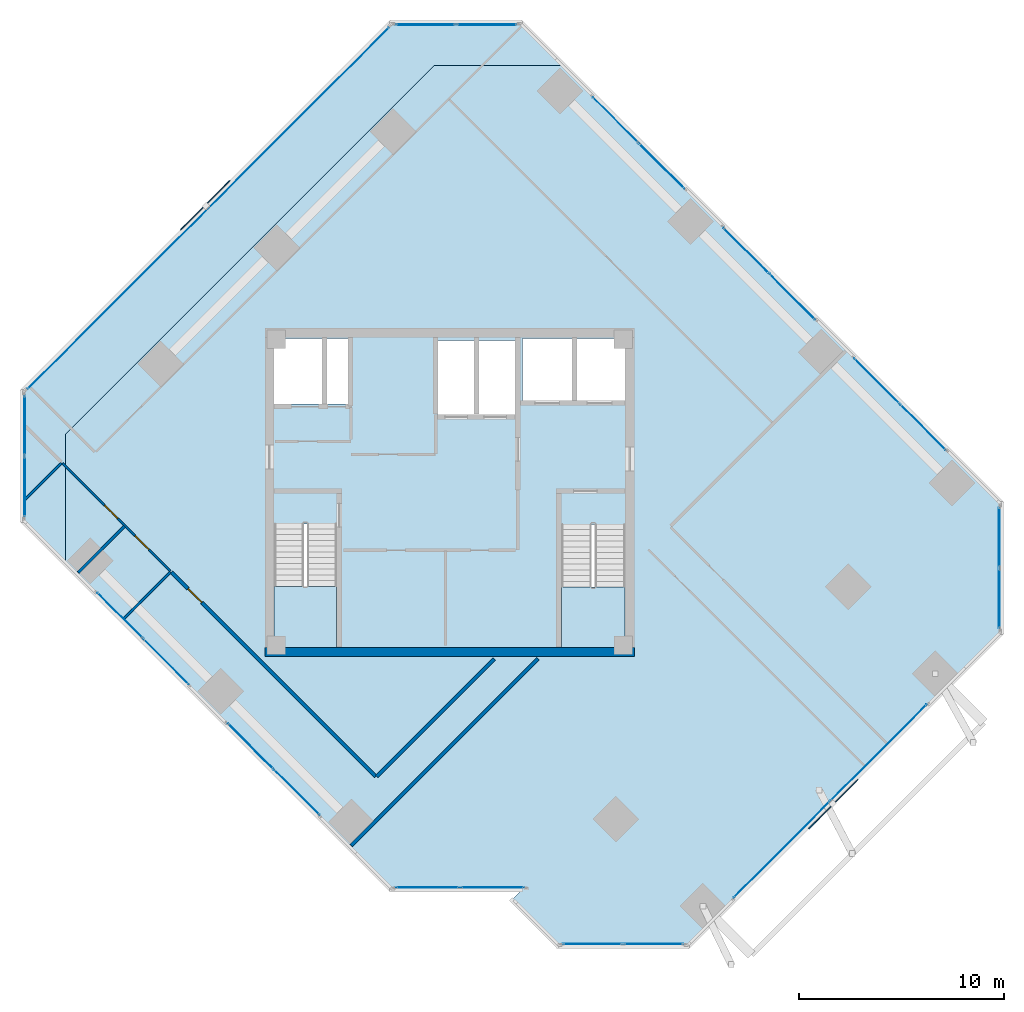
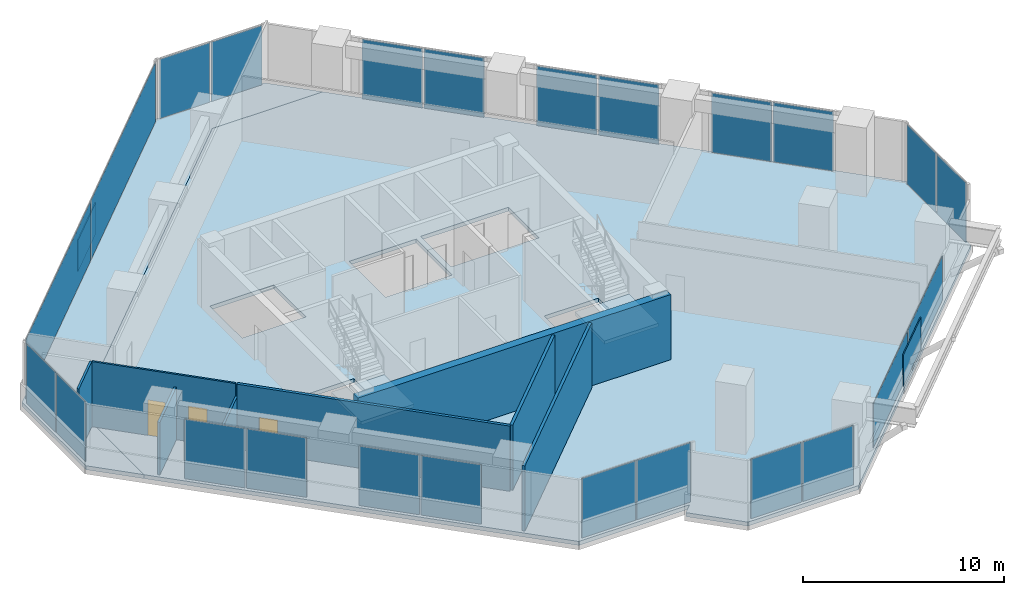
# One storey, part 12 of 17: 26 plates, 8 walls, 4 slabs, 3 doors, 3 openings, 14 elements without a shape of their own.
"""IFC4 building model written with IfcOpenShell, lengths in metres."""

from ifc_helpers import new_model, si_unit, direction, frame, frame_2d, origin, origin_2d, place, context, subcontext, project, spatial, polyline, rectangle, outline, extrude, source, transform, mapped, material, layer, layer_set, type_object, element, fill, aggregate, save


model = new_model("IFC4")

# Units and contexts
model_context = context("Model", 3, precision=1e-05, world=origin(), true_north=direction((0.0, 1.0)))
body_context = subcontext(model_context, "Body", "Model", "MODEL_VIEW")
ifc_project = project(units=[si_unit("LENGTHUNIT", "METRE"), si_unit("AREAUNIT", "SQUARE_METRE"), si_unit("VOLUMEUNIT", "CUBIC_METRE"), si_unit("PLANEANGLEUNIT", "RADIAN"), si_unit("MASSUNIT", "GRAM", prefix="KILO")], contexts=[model_context])

# Site, building, storey
site_placement = place(None, origin())
site = spatial("IfcSite", under=ifc_project, at=site_placement, CompositionType="ELEMENT")
building_placement = place(site_placement, origin())
building = spatial("IfcBuilding", under=site, at=building_placement, Name="Torre Montelarca", CompositionType="ELEMENT")
storey_placement = place(building_placement, frame((0.0, 0.0, 250.0)))
storey = spatial("IfcBuildingStorey", under=building, at=storey_placement, Name="L56", CompositionType="ELEMENT", Elevation=250.0)

# Slabs
ifc_material_1 = material(Name="Concrete C40/50", Category="concrete")
ifc_layer_1 = layer(ifc_material_1, 0.239990234375, Name="Concrete C40/50", Category="concrete")
ifc_layer_set_1 = layer_set([ifc_layer_1], Name="Concrete C40/50")
slab_type_1 = type_object("IfcSlabType", Name="SL-FLR-240", PredefinedType="FLOOR", material=ifc_layer_set_1)
slab_1_placement = place(storey_placement, frame((0.0, 0.0, -0.239990234375)))
element("IfcSlab", 1, at=slab_1_placement, inside=storey, type_object=slab_type_1, Name="L56 Structural Floor Slab", PredefinedType="FLOOR", context=body_context, shape_type="SweptSolid", body=[
    extrude(outline(polyline([(15.135986328125, 12.625244140625), (21.5, 12.625244140625), (21.0048828125, 12.13037109375), (23.267822265625, 9.86767578125), (29.631591796875, 9.86767578125), (44.9052734375, 25.14111328125), (44.9052734375, 31.5048828125), (23.621337890625, 52.788818359375), (17.25732421875, 52.788818359375), (-0.703125, 34.828369140625), (-0.703125, 28.464599609375), (15.135986328125, 12.625244140625)]), holes=[polyline([(26.550048828125, 24.449951171875), (23.43994140625, 24.449951171875), (23.43994140625, 30.429931640625), (26.550048828125, 30.429931640625), (26.550048828125, 24.449951171875)]), polyline([(12.5, 24.449951171875), (9.449951171875, 24.449951171875), (9.449951171875, 30.4599609375), (12.5, 30.4599609375), (12.5, 24.449951171875)]), polyline([(21.25, 39.39990234375), (21.25, 35.800048828125), (17.39990234375, 35.800048828125), (17.39990234375, 39.39990234375), (21.25, 39.39990234375)]), polyline([(13.1201171875, 36.300048828125), (9.449951171875, 36.300048828125), (9.449951171875, 39.5), (13.1201171875, 39.5), (13.1201171875, 36.300048828125)]), polyline([(26.60009765625, 36.449951171875), (21.550048828125, 36.449951171875), (21.550048828125, 39.5), (26.60009765625, 39.5), (26.60009765625, 36.449951171875)])]), origin(), (0.0, 0.0, 1.0), 0.239990234375),
])
slab_2_placement = place(storey_placement, frame((0.0, 0.0, -0.239990234375)))
element("IfcSlab", 2, at=slab_2_placement, inside=storey, type_object=slab_type_1, Name="L56 Sliding Tray Winter Garden Floor Slab W1", PredefinedType="FLOOR", context=body_context, shape_type="SweptSolid", body=[
    extrude(outline(polyline([(-0.703125, 28.464599609375), (-0.703125, 34.828369140625), (17.25732421875, 52.788818359375), (23.621337890625, 52.788818359375), (21.5, 54.910400390625), (15.135986328125, 54.910400390625), (-2.824462890625, 36.94970703125), (-2.824462890625, 30.585693359375), (-0.703125, 28.464599609375)])), origin(), (0.0, 0.0, 1.0), 0.239990234375),
])

# Stair, slab
stair_type_1 = type_object("IfcStairType", Name="ST-CORE-ST1", PredefinedType="HALF_TURN_STAIR", material=ifc_material_1)
stair_1_placement = place(storey_placement, origin())
stair_1 = element("IfcStair", 3, at=stair_1_placement, inside=storey, type_object=stair_type_1, Name="L56 Protected Exit Stair ST1", PredefinedType="HALF_TURN_STAIR")
ifc_layer_2 = layer(ifc_material_1, 0.199951171875, Name="Concrete C40/50", Category="concrete")
ifc_layer_set_2 = layer_set([ifc_layer_2], Name="Concrete C40/50")
slab_type_2 = type_object("IfcSlabType", Name="SL-ST-LAND-ST1", PredefinedType="LANDING", material=ifc_layer_set_2)
slab_3_placement = place(storey_placement, frame((0.0, 0.0, 1.89990234375)))
slab_3 = element("IfcSlab", 4, at=slab_3_placement, type_object=slab_type_2, Name="ST1 landing 1", PredefinedType="LANDING", context=body_context, shape_type="SweptSolid", body=[
    extrude(outline(polyline([(9.449951171875, 27.419921875), (9.449951171875, 24.449951171875), (12.5, 24.449951171875), (12.5, 27.419921875), (9.449951171875, 27.419921875)])), origin(), (0.0, 0.0, 1.0), 0.2001953125),
])
aggregate(stair_1, [slab_3])

stair_type_2 = type_object("IfcStairType", Name="ST-CORE-ST2", PredefinedType="HALF_TURN_STAIR", material=ifc_material_1)
stair_2_placement = place(storey_placement, origin())
stair_2 = element("IfcStair", 5, at=stair_2_placement, inside=storey, type_object=stair_type_2, Name="L56 Protected Exit Stair ST2", PredefinedType="HALF_TURN_STAIR")
ifc_layer_3 = layer(ifc_material_1, 0.199951171875, Name="Concrete C40/50", Category="concrete")
ifc_layer_set_3 = layer_set([ifc_layer_3], Name="Concrete C40/50")
slab_type_3 = type_object("IfcSlabType", Name="SL-ST-LAND-ST2", PredefinedType="LANDING", material=ifc_layer_set_3)
slab_4_placement = place(storey_placement, frame((0.0, 0.0, 1.89990234375)))
slab_4 = element("IfcSlab", 6, at=slab_4_placement, type_object=slab_type_3, Name="ST2 landing 1", PredefinedType="LANDING", context=body_context, shape_type="SweptSolid", body=[
    extrude(outline(polyline([(23.43994140625, 27.389892578125), (23.43994140625, 24.449951171875), (26.550048828125, 24.449951171875), (26.550048828125, 27.389892578125), (23.43994140625, 27.389892578125)])), origin(), (0.0, 0.0, 1.0), 0.2001953125),
])
aggregate(stair_2, [slab_4])

# Plates
ifc_material_2 = material(Name="Architectural perforated terracotta ceramic", Category="masonry")
ifc_layer_4 = layer(ifc_material_2, 0.06005859375, Name="Architectural perforated terracotta ceramic", Category="masonry")
ifc_layer_set_4 = layer_set([ifc_layer_4], Name="Architectural perforated terracotta ceramic")
plate_type_1 = type_object("IfcPlateType", Name="SCR-CER-60", PredefinedType="USERDEFINED", material=ifc_layer_set_4)
shared_shape_1 = source(origin(), body_context, "Body", "SweptSolid", [
    extrude(rectangle(XDim=3.39990234375, YDim=0.06005859375, at=origin_2d()), origin(), (0.0, 0.0, 1.0), 1.89990234375),
])
for number, where, z_axis, x_axis, name in (
    (7, (36.688720703125, 16.811279296875, 0.5), (0.0, 0.0, 1.0), (0.707106781187, 0.707106781187, 0.0), "L56 Perforated Ceramic Brise-Soleil Screen E6-1"),
    (8, (6.09912109375, 45.986572265625, 0.5), (0.0, 0.0, 1.0), (-0.707104312914, -0.707109249451, 0.0), "L56 Perforated Ceramic Brise-Soleil Screen E10-1"),
):
    element("IfcPlate", number, at=place(storey_placement, frame(where, z_axis=z_axis, x_axis=x_axis)), inside=storey, type_object=plate_type_1, Name=name, ObjectType="SOLAR SCREEN", PredefinedType="USERDEFINED", context=body_context, shape_type="MappedRepresentation", body=[
        mapped(shared_shape_1, transform((0.0, 0.0, 0.0), scale=1.0)),
    ])

# Curtain wall, plates
ifc_material_3 = material(Name="Insulated low-E laminated glass", Category="glass")
curtain_wall_type = type_object("IfcCurtainWallType", Name="CW-SYS-Z3", PredefinedType="USERDEFINED", material=ifc_material_3)
curtain_wall_1_placement = place(storey_placement, origin())
curtain_wall_1 = element("IfcCurtainWall", 9, at=curtain_wall_1_placement, inside=storey, type_object=curtain_wall_type, Name="L56 Curtain Wall Run CW-T3-L56-E02-B1", ObjectType="UNITISED GLAZING", PredefinedType="USERDEFINED")
ifc_layer_5 = layer(ifc_material_3, 0.031982421875, Name="Insulated low-E laminated glass", Category="glass")
ifc_layer_set_5 = layer_set([ifc_layer_5], Name="Insulated low-E laminated glass")
plate_type_2 = type_object("IfcPlateType", Name="CWP-GLZ-32", PredefinedType="CURTAIN_PANEL", material=ifc_layer_set_5)
shared_shape_2 = source(origin(), body_context, "Body", "SweptSolid", [
    extrude(rectangle(XDim=3.08740234375, YDim=0.031982421875, at=origin_2d()), origin(), (0.0, 0.0, 1.0), 3.610107421875),
])
plate_1_placement = place(storey_placement, frame((16.920654296875, 12.75537109375, 0.05517578125), z_axis=(0.0, 0.0, 1.0), x_axis=(1.0, 0.0, 0.0)))
plate_1 = element("IfcPlate", 10, at=plate_1_placement, type_object=plate_type_2, Name="CW panel 1.1", PredefinedType="CURTAIN_PANEL", context=body_context, shape_type="MappedRepresentation", body=[
    mapped(shared_shape_2, transform((0.0, 0.0, 0.0), scale=1.0)),
])
plate_2_placement = place(storey_placement, frame((20.0830078125, 12.75537109375, 0.05517578125), z_axis=(0.0, 0.0, 1.0), x_axis=(1.0, 0.0, 0.0)))
plate_2 = element("IfcPlate", 11, at=plate_2_placement, type_object=plate_type_2, Name="CW panel 2.1", PredefinedType="CURTAIN_PANEL", context=body_context, shape_type="MappedRepresentation", body=[
    mapped(shared_shape_2, transform((0.0, 0.0, 0.0), scale=1.0)),
])
aggregate(curtain_wall_1, [plate_1, plate_2])

curtain_wall_2_placement = place(storey_placement, origin())
curtain_wall_2 = element("IfcCurtainWall", 12, at=curtain_wall_2_placement, inside=storey, type_object=curtain_wall_type, Name="L56 Curtain Wall Run CW-T3-L56-E05-B1", ObjectType="UNITISED GLAZING", PredefinedType="USERDEFINED")
shared_shape_3 = source(origin(), body_context, "Body", "SweptSolid", [
    extrude(rectangle(XDim=2.903564453125, YDim=0.031982421875, at=origin_2d()), origin(), (0.0, 0.0, 1.0), 3.610107421875),
])
plate_3_placement = place(storey_placement, frame((24.96044921875, 9.99755859375, 0.05517578125), z_axis=(0.0, 0.0, 1.0), x_axis=(1.0, 0.0, 0.0)))
plate_3 = element("IfcPlate", 13, at=plate_3_placement, type_object=plate_type_2, Name="CW panel 1.1", PredefinedType="CURTAIN_PANEL", context=body_context, shape_type="MappedRepresentation", body=[
    mapped(shared_shape_3, transform((0.0, 0.0, 0.0), scale=1.0)),
])
plate_4_placement = place(storey_placement, frame((27.93896484375, 9.99755859375, 0.05517578125), z_axis=(0.0, 0.0, 1.0), x_axis=(1.0, 0.0, 0.0)))
plate_4 = element("IfcPlate", 14, at=plate_4_placement, type_object=plate_type_2, Name="CW panel 2.1", PredefinedType="CURTAIN_PANEL", context=body_context, shape_type="MappedRepresentation", body=[
    mapped(shared_shape_3, transform((0.0, 0.0, 0.0), scale=1.0)),
])
aggregate(curtain_wall_2, [plate_3, plate_4])

curtain_wall_3_placement = place(storey_placement, origin())
curtain_wall_3 = element("IfcCurtainWall", 15, at=curtain_wall_3_placement, inside=storey, type_object=curtain_wall_type, Name="L56 Curtain Wall Run CW-T3-L56-E07-B1", ObjectType="UNITISED GLAZING", PredefinedType="USERDEFINED")
plate_5_placement = place(storey_placement, frame((44.775146484375, 26.833740234375, 0.05517578125), z_axis=(0.0, 0.0, 1.0), x_axis=(0.0, 1.0, 0.0)))
plate_5 = element("IfcPlate", 16, at=plate_5_placement, type_object=plate_type_2, Name="CW panel 1.1", PredefinedType="CURTAIN_PANEL", context=body_context, shape_type="MappedRepresentation", body=[
    mapped(shared_shape_3, transform((0.0, 0.0, 0.0), scale=1.0)),
])
plate_6_placement = place(storey_placement, frame((44.775146484375, 29.812255859375, 0.05517578125), z_axis=(0.0, 0.0, 1.0), x_axis=(0.0, 1.0, 0.0)))
plate_6 = element("IfcPlate", 17, at=plate_6_placement, type_object=plate_type_2, Name="CW panel 2.1", PredefinedType="CURTAIN_PANEL", context=body_context, shape_type="MappedRepresentation", body=[
    mapped(shared_shape_3, transform((0.0, 0.0, 0.0), scale=1.0)),
])
aggregate(curtain_wall_3, [plate_5, plate_6])

curtain_wall_4_placement = place(storey_placement, origin())
curtain_wall_4 = element("IfcCurtainWall", 18, at=curtain_wall_4_placement, inside=storey, type_object=curtain_wall_type, Name="L56 Curtain Wall Run CW-T3-L56-E11-B1", ObjectType="UNITISED GLAZING", PredefinedType="USERDEFINED")
plate_7_placement = place(storey_placement, frame((-2.694580078125, 35.257080078125, 0.05517578125), z_axis=(0.0, 0.0, 1.0), x_axis=(0.0, -1.0, 0.0)))
plate_7 = element("IfcPlate", 19, at=plate_7_placement, type_object=plate_type_2, Name="CW panel 1.1", PredefinedType="CURTAIN_PANEL", context=body_context, shape_type="MappedRepresentation", body=[
    mapped(shared_shape_3, transform((0.0, 0.0, 0.0), scale=1.0)),
])
plate_8_placement = place(storey_placement, frame((-2.694580078125, 32.2783203125, 0.05517578125), z_axis=(0.0, 0.0, 1.0), x_axis=(0.0, -1.0, 0.0)))
plate_8 = element("IfcPlate", 20, at=plate_8_placement, type_object=plate_type_2, Name="CW panel 2.1", PredefinedType="CURTAIN_PANEL", context=body_context, shape_type="MappedRepresentation", body=[
    mapped(shared_shape_3, transform((0.0, 0.0, 0.0), scale=1.0)),
])
aggregate(curtain_wall_4, [plate_7, plate_8])

curtain_wall_5_placement = place(storey_placement, origin())
curtain_wall_5 = element("IfcCurtainWall", 21, at=curtain_wall_5_placement, inside=storey, type_object=curtain_wall_type, Name="L56 Curtain Wall Run CW-T3-L56-E10-B1", ObjectType="UNITISED GLAZING", PredefinedType="USERDEFINED")
shared_shape_4 = source(origin(), body_context, "Body", "SweptSolid", [
    extrude(rectangle(XDim=12.421630859375, YDim=0.031982421875, at=origin_2d()), origin(), (0.0, 0.0, 1.0), 3.610107421875),
])
plate_9_placement = place(storey_placement, frame((10.665771484375, 50.25634765625, 0.05517578125), z_axis=(0.0, 0.0, 1.0), x_axis=(-0.707104786625, -0.707108775742, 0.0)))
plate_9 = element("IfcPlate", 22, at=plate_9_placement, type_object=plate_type_2, Name="CW panel 1.1", PredefinedType="CURTAIN_PANEL", context=body_context, shape_type="MappedRepresentation", body=[
    mapped(shared_shape_4, transform((0.0, 0.0, 0.0), scale=1.0)),
])
plate_10_placement = place(storey_placement, frame((1.829345703125, 41.419921875, 0.05517578125), z_axis=(0.0, 0.0, 1.0), x_axis=(-0.707104786625, -0.707108775742, 0.0)))
plate_10 = element("IfcPlate", 23, at=plate_10_placement, type_object=plate_type_2, Name="CW panel 2.1", PredefinedType="CURTAIN_PANEL", context=body_context, shape_type="MappedRepresentation", body=[
    mapped(shared_shape_4, transform((0.0, 0.0, 0.0), scale=1.0)),
])
aggregate(curtain_wall_5, [plate_9, plate_10])

curtain_wall_6_placement = place(storey_placement, origin())
curtain_wall_6 = element("IfcCurtainWall", 24, at=curtain_wall_6_placement, inside=storey, type_object=curtain_wall_type, Name="L56 Curtain Wall Run CW-T3-L56-E01-B1", ObjectType="UNITISED GLAZING", PredefinedType="USERDEFINED")
shared_shape_5 = source(origin(), body_context, "Body", "SweptSolid", [
    extrude(rectangle(XDim=3.107421875, YDim=0.031982421875, at=origin_2d()), origin(), (0.0, 0.0, 1.0), 3.610107421875),
])
plate_11_placement = place(storey_placement, frame((1.9404296875, 26.004638671875, 0.05517578125), z_axis=(0.0, 0.0, 1.0), x_axis=(0.707106781187, -0.707106781187, 0.0)))
plate_11 = element("IfcPlate", 25, at=plate_11_placement, type_object=plate_type_2, Name="CW panel 1.1", PredefinedType="CURTAIN_PANEL", context=body_context, shape_type="MappedRepresentation", body=[
    mapped(shared_shape_5, transform((0.0, 0.0, 0.0), scale=1.0)),
])
plate_12_placement = place(storey_placement, frame((4.19091796875, 23.754150390625, 0.05517578125), z_axis=(0.0, 0.0, 1.0), x_axis=(0.707106781187, -0.707106781187, 0.0)))
plate_12 = element("IfcPlate", 26, at=plate_12_placement, type_object=plate_type_2, Name="CW panel 2.1", PredefinedType="CURTAIN_PANEL", context=body_context, shape_type="MappedRepresentation", body=[
    mapped(shared_shape_5, transform((0.0, 0.0, 0.0), scale=1.0)),
])
aggregate(curtain_wall_6, [plate_11, plate_12])

curtain_wall_7_placement = place(storey_placement, origin())
curtain_wall_7 = element("IfcCurtainWall", 27, at=curtain_wall_7_placement, inside=storey, type_object=curtain_wall_type, Name="L56 Curtain Wall Run CW-T3-L56-E01-B2", ObjectType="UNITISED GLAZING", PredefinedType="USERDEFINED")
plate_13_placement = place(storey_placement, frame((8.304443359375, 19.640625, 0.05517578125), z_axis=(0.0, 0.0, 1.0), x_axis=(0.707106781187, -0.707106781187, 0.0)))
plate_13 = element("IfcPlate", 28, at=plate_13_placement, type_object=plate_type_2, Name="CW panel 1.1", PredefinedType="CURTAIN_PANEL", context=body_context, shape_type="MappedRepresentation", body=[
    mapped(shared_shape_5, transform((0.0, 0.0, 0.0), scale=1.0)),
])
plate_14_placement = place(storey_placement, frame((10.554931640625, 17.39013671875, 0.05517578125), z_axis=(0.0, 0.0, 1.0), x_axis=(0.707106781187, -0.707106781187, 0.0)))
plate_14 = element("IfcPlate", 29, at=plate_14_placement, type_object=plate_type_2, Name="CW panel 2.1", PredefinedType="CURTAIN_PANEL", context=body_context, shape_type="MappedRepresentation", body=[
    mapped(shared_shape_5, transform((0.0, 0.0, 0.0), scale=1.0)),
])
aggregate(curtain_wall_7, [plate_13, plate_14])

curtain_wall_8_placement = place(storey_placement, origin())
curtain_wall_8 = element("IfcCurtainWall", 30, at=curtain_wall_8_placement, inside=storey, type_object=curtain_wall_type, Name="L56 Curtain Wall Run CW-T3-L56-E08-B1", ObjectType="UNITISED GLAZING", PredefinedType="USERDEFINED")
plate_15_placement = place(storey_placement, frame((41.0595703125, 35.1669921875, 0.05517578125), z_axis=(0.0, 0.0, 1.0), x_axis=(-0.707114545144, 0.707099017144, 0.0)))
plate_15 = element("IfcPlate", 31, at=plate_15_placement, type_object=plate_type_2, Name="CW panel 1.1", PredefinedType="CURTAIN_PANEL", context=body_context, shape_type="MappedRepresentation", body=[
    mapped(shared_shape_5, transform((0.0, 0.0, 0.0), scale=1.0)),
])
plate_16_placement = place(storey_placement, frame((38.80908203125, 37.417236328125, 0.05517578125), z_axis=(0.0, 0.0, 1.0), x_axis=(-0.707114545144, 0.707099017144, 0.0)))
plate_16 = element("IfcPlate", 32, at=plate_16_placement, type_object=plate_type_2, Name="CW panel 2.1", PredefinedType="CURTAIN_PANEL", context=body_context, shape_type="MappedRepresentation", body=[
    mapped(shared_shape_5, transform((0.0, 0.0, 0.0), scale=1.0)),
])
aggregate(curtain_wall_8, [plate_15, plate_16])

curtain_wall_9_placement = place(storey_placement, origin())
curtain_wall_9 = element("IfcCurtainWall", 33, at=curtain_wall_9_placement, inside=storey, type_object=curtain_wall_type, Name="L56 Curtain Wall Run CW-T3-L56-E08-B2", ObjectType="UNITISED GLAZING", PredefinedType="USERDEFINED")
plate_17_placement = place(storey_placement, frame((34.695556640625, 41.531005859375, 0.05517578125), z_axis=(0.0, 0.0, 1.0), x_axis=(-0.707099017144, 0.707114545144, 0.0)))
plate_17 = element("IfcPlate", 34, at=plate_17_placement, type_object=plate_type_2, Name="CW panel 1.1", PredefinedType="CURTAIN_PANEL", context=body_context, shape_type="MappedRepresentation", body=[
    mapped(shared_shape_5, transform((0.0, 0.0, 0.0), scale=1.0)),
])
plate_18_placement = place(storey_placement, frame((32.445068359375, 43.78125, 0.05517578125), z_axis=(0.0, 0.0, 1.0), x_axis=(-0.707099017144, 0.707114545144, 0.0)))
plate_18 = element("IfcPlate", 35, at=plate_18_placement, type_object=plate_type_2, Name="CW panel 2.1", PredefinedType="CURTAIN_PANEL", context=body_context, shape_type="MappedRepresentation", body=[
    mapped(shared_shape_5, transform((0.0, 0.0, 0.0), scale=1.0)),
])
aggregate(curtain_wall_9, [plate_17, plate_18])

curtain_wall_10_placement = place(storey_placement, origin())
curtain_wall_10 = element("IfcCurtainWall", 36, at=curtain_wall_10_placement, inside=storey, type_object=curtain_wall_type, Name="L56 Curtain Wall Run CW-T3-L56-E08-B3", ObjectType="UNITISED GLAZING", PredefinedType="USERDEFINED")
plate_19_placement = place(storey_placement, frame((28.33154296875, 47.89501953125, 0.05517578125), z_axis=(0.0, 0.0, 1.0), x_axis=(-0.707106781187, 0.707106781187, 0.0)))
plate_19 = element("IfcPlate", 37, at=plate_19_placement, type_object=plate_type_2, Name="CW panel 1.1", PredefinedType="CURTAIN_PANEL", context=body_context, shape_type="MappedRepresentation", body=[
    mapped(shared_shape_5, transform((0.0, 0.0, 0.0), scale=1.0)),
])
plate_20_placement = place(storey_placement, frame((26.081298828125, 50.145263671875, 0.05517578125), z_axis=(0.0, 0.0, 1.0), x_axis=(-0.707106781187, 0.707106781187, 0.0)))
plate_20 = element("IfcPlate", 38, at=plate_20_placement, type_object=plate_type_2, Name="CW panel 2.1", PredefinedType="CURTAIN_PANEL", context=body_context, shape_type="MappedRepresentation", body=[
    mapped(shared_shape_5, transform((0.0, 0.0, 0.0), scale=1.0)),
])
aggregate(curtain_wall_10, [plate_19, plate_20])

curtain_wall_11_placement = place(storey_placement, origin())
curtain_wall_11 = element("IfcCurtainWall", 39, at=curtain_wall_11_placement, inside=storey, type_object=curtain_wall_type, Name="L56 Curtain Wall Run CW-T3-L56-E09-B1", ObjectType="UNITISED GLAZING", PredefinedType="USERDEFINED")
shared_shape_6 = source(origin(), body_context, "Body", "SweptSolid", [
    extrude(rectangle(XDim=2.90380859375, YDim=0.031982421875, at=origin_2d()), origin(), (0.0, 0.0, 1.0), 3.610107421875),
])
plate_21_placement = place(storey_placement, frame((19.807373046875, 54.7802734375, 0.05517578125), z_axis=(0.0, 0.0, 1.0), x_axis=(-1.0, 0.0, 0.0)))
plate_21 = element("IfcPlate", 40, at=plate_21_placement, type_object=plate_type_2, Name="CW panel 1.1", PredefinedType="CURTAIN_PANEL", context=body_context, shape_type="MappedRepresentation", body=[
    mapped(shared_shape_6, transform((0.0, 0.0, 0.0), scale=1.0)),
])
plate_22_placement = place(storey_placement, frame((16.82861328125, 54.7802734375, 0.05517578125), z_axis=(0.0, 0.0, 1.0), x_axis=(-1.0, 0.0, 0.0)))
plate_22 = element("IfcPlate", 41, at=plate_22_placement, type_object=plate_type_2, Name="CW panel 2.1", PredefinedType="CURTAIN_PANEL", context=body_context, shape_type="MappedRepresentation", body=[
    mapped(shared_shape_6, transform((0.0, 0.0, 0.0), scale=1.0)),
])
aggregate(curtain_wall_11, [plate_21, plate_22])

curtain_wall_12_placement = place(storey_placement, origin())
curtain_wall_12 = element("IfcCurtainWall", 42, at=curtain_wall_12_placement, inside=storey, type_object=curtain_wall_type, Name="L56 Curtain Wall Run CW-T3-L56-E06-B1", ObjectType="UNITISED GLAZING", PredefinedType="USERDEFINED")
shared_shape_7 = source(origin(), body_context, "Body", "SweptSolid", [
    extrude(rectangle(XDim=6.607421875, YDim=0.031982421875, at=origin_2d()), origin(), (0.0, 0.0, 1.0), 2.6650390625),
])
plate_23_placement = place(storey_placement, frame((34.177490234375, 14.59716796875, 0.054931640625), z_axis=(0.0, 0.0, 1.0), x_axis=(0.707106781187, 0.707106781187, 0.0)))
plate_23 = element("IfcPlate", 43, at=plate_23_placement, type_object=plate_type_2, Name="CW panel 1.1", PredefinedType="CURTAIN_PANEL", context=body_context, shape_type="MappedRepresentation", body=[
    mapped(shared_shape_7, transform((0.0, 0.0, 0.0), scale=1.0)),
])
plate_24_placement = place(storey_placement, frame((38.90283203125, 19.322509765625, 0.054931640625), z_axis=(0.0, 0.0, 1.0), x_axis=(0.707106781187, 0.707106781187, 0.0)))
plate_24 = element("IfcPlate", 44, at=plate_24_placement, type_object=plate_type_2, Name="CW panel 2.1", PredefinedType="CURTAIN_PANEL", context=body_context, shape_type="MappedRepresentation", body=[
    mapped(shared_shape_7, transform((0.0, 0.0, 0.0), scale=1.0)),
])
aggregate(curtain_wall_12, [plate_23, plate_24])

# Wall
ifc_material_4 = material(Name="Concrete C55/67", Category="concrete")
ifc_layer_6 = layer(ifc_material_4, 0.449951171875, Name="Concrete C55/67", Category="concrete")
ifc_layer_set_6 = layer_set([ifc_layer_6], Name="Concrete C55/67")
wall_type_1 = type_object("IfcWallType", Name="CW-SHEAR-450", PredefinedType="SHEAR", material=ifc_layer_set_6)
wall_1_placement = place(storey_placement, frame((9.0, 24.22509765625, 0.0), z_axis=(0.0, 0.0, 1.0), x_axis=(1.0, 0.0, 0.0)))
element("IfcWall", 45, at=wall_1_placement, inside=storey, type_object=wall_type_1, Name="L56 Core Shear Wall CW-S1", PredefinedType="SHEAR", context=body_context, shape_type="SweptSolid", body=[
    extrude(rectangle(XDim=18.0, YDim=0.449951171875, at=frame_2d((9.0, 0.0))), origin(), (0.0, 0.0, 1.0), 3.9599609375),
])

# Wall, opening, door
ifc_material_5 = material(Name="Gypsum plasterboard on steel stud", Category="steel")
ifc_layer_7 = layer(ifc_material_5, 0.159912109375, Name="Gypsum plasterboard on steel stud", Category="steel")
ifc_layer_set_7 = layer_set([ifc_layer_7], Name="Gypsum plasterboard on steel stud")
wall_type_2 = type_object("IfcWallType", Name="PW-FIRE-160", PredefinedType="PARTITIONING", material=ifc_layer_set_7)
wall_2_placement = place(storey_placement, frame((4.45166015625, 28.117919921875, 0.0), z_axis=(0.0, 0.0, 1.0), x_axis=(0.707106781187, -0.707106781187, 0.0)))
wall_2 = element("IfcWall", 46, at=wall_2_placement, inside=storey, type_object=wall_type_2, Name="L56 Interior Partition W-L56-SOCCN", PredefinedType="PARTITIONING", context=body_context, shape_type="SweptSolid", body=[
    extrude(rectangle(XDim=14.070068359375, YDim=0.159912109375, at=frame_2d((7.03515625, 0.0))), origin(), (0.0, 0.0, 1.0), 3.9599609375),
])
opening_1_placement = place(wall_2_placement, frame((1.14990234375, 0.0, 0.0)))
opening_1 = element("IfcOpeningElement", 47, at=opening_1_placement, cuts=wall_2, Name="Opening FD-095", PredefinedType="OPENING", context=body_context, shape_type="SweptSolid", body=[
    extrude(rectangle(XDim=0.949951171875, YDim=2.14990234375, at=frame_2d((0.47509765625, 1.074951171875))), frame((0.0, 0.08984375, 0.0), z_axis=(0.0, -1.0, 0.0), x_axis=(1.0, 0.0, 0.0)), (0.0, 0.0, 1.0), 0.179931640625),
])
ifc_material_6 = material(Name="Timber fire-rated room door", Category="wood")
door_type_1 = type_object("IfcDoorType", Name="DR-FIRE-095", OperationType="NOTDEFINED", PredefinedType="DOOR", material=ifc_material_6)
shared_shape_8 = source(origin(), body_context, "Body", "SweptSolid", [
    extrude(rectangle(XDim=0.949951171875, YDim=2.14990234375, at=frame_2d((0.47509765625, 1.074951171875))), frame((0.0, 0.02490234375, 0.0), z_axis=(0.0, -1.0, 0.0), x_axis=(1.0, 0.0, 0.0)), (0.0, 0.0, 1.0), 0.050048828125),
])
door_1_placement = place(opening_1_placement, origin())
door_1 = element("IfcDoor", 48, at=door_1_placement, inside=storey, type_object=door_type_1, Name="L56 Interior Door 07", OperationType="SINGLE_SWING_RIGHT", OverallHeight=2.14990234375, OverallWidth=0.949951171875, PredefinedType="DOOR", context=body_context, shape_type="MappedRepresentation", body=[
    mapped(shared_shape_8, transform((0.0, 0.0, 0.0), scale=1.0)),
])
fill(opening_1, door_1)

# Walls
wall_3_placement = place(storey_placement, frame((14.457275390625, 18.1689453125, 0.0), z_axis=(0.0, 0.0, 1.0), x_axis=(0.707106781187, 0.707106781187, 0.0)))
element("IfcWall", 49, at=wall_3_placement, inside=storey, type_object=wall_type_2, Name="L56 Interior Partition W-L56-SOCCW3", PredefinedType="PARTITIONING", context=body_context, shape_type="SweptSolid", body=[
    extrude(rectangle(XDim=8.093017578125, YDim=0.159912109375, at=frame_2d((4.04638671875, 0.0))), origin(), (0.0, 0.0, 1.0), 3.9599609375),
])
wall_4_placement = place(storey_placement, frame((13.212646484375, 14.80322265625, 0.0), z_axis=(0.0, 0.0, 1.0), x_axis=(0.707116278481, 0.707097283765, 0.0)))
element("IfcWall", 50, at=wall_4_placement, inside=storey, type_object=wall_type_2, Name="L56 Interior Partition W-L56-ECS", PredefinedType="PARTITIONING", context=body_context, shape_type="SweptSolid", body=[
    extrude(rectangle(XDim=12.85302734375, YDim=0.159912109375, at=frame_2d((6.426513671875, 0.0))), origin(), (0.0, 0.0, 1.0), 3.9599609375),
])

# Wall, openings, doors
ifc_material_7 = material(Name="Acoustic laminated glass partition", Category="glass")
ifc_layer_8 = layer(ifc_material_7, 0.10009765625, Name="Acoustic laminated glass partition", Category="glass")
ifc_layer_set_8 = layer_set([ifc_layer_8], Name="Acoustic laminated glass partition")
wall_type_3 = type_object("IfcWallType", Name="PW-GLAZ-100", PredefinedType="PARTITIONING", material=ifc_layer_set_8)
wall_5_placement = place(storey_placement, frame((-0.8515625, 33.42138671875, 0.0), z_axis=(0.0, 0.0, 1.0), x_axis=(0.707090329382, -0.707123232608, 0.0)))
wall_5 = element("IfcWall", 51, at=wall_5_placement, inside=storey, type_object=wall_type_3, Name="L56 Interior Partition W-L56-WCN", PredefinedType="PARTITIONING", context=body_context, shape_type="SweptSolid", body=[
    extrude(rectangle(XDim=7.419921875, YDim=0.10009765625, at=frame_2d((3.7099609375, 0.0))), origin(), (0.0, 0.0, 1.0), 3.9599609375),
])
opening_2_placement = place(wall_5_placement, frame((2.89990234375, 0.0, 0.0)))
opening_2 = element("IfcOpeningElement", 52, at=opening_2_placement, cuts=wall_5, Name="Opening ID-090", PredefinedType="OPENING", context=body_context, shape_type="SweptSolid", body=[
    extrude(rectangle(XDim=0.89990234375, YDim=2.14990234375, at=frame_2d((0.449951171875, 1.074951171875))), frame((0.0, 0.06005859375, 0.0), z_axis=(0.0, -1.0, 0.0), x_axis=(1.0, 0.0, 0.0)), (0.0, 0.0, 1.0), 0.1201171875),
])
opening_3_placement = place(wall_5_placement, frame((5.0, 0.0, 0.0)))
opening_3 = element("IfcOpeningElement", 53, at=opening_3_placement, cuts=wall_5, Name="Opening ID-095", PredefinedType="OPENING", context=body_context, shape_type="SweptSolid", body=[
    extrude(rectangle(XDim=0.949951171875, YDim=2.14990234375, at=frame_2d((0.47509765625, 1.074951171875))), frame((0.0, 0.06005859375, 0.0), z_axis=(0.0, -1.0, 0.0), x_axis=(1.0, 0.0, 0.0)), (0.0, 0.0, 1.0), 0.1201171875),
])
ifc_material_8 = material(Name="Hardwood acoustic timber veneer", Category="wood")
door_type_2 = type_object("IfcDoorType", Name="DR-INT-090", OperationType="NOTDEFINED", PredefinedType="DOOR", material=ifc_material_8)
shared_shape_9 = source(origin(), body_context, "Body", "SweptSolid", [
    extrude(rectangle(XDim=0.89990234375, YDim=2.14990234375, at=frame_2d((0.449951171875, 1.074951171875))), frame((0.0, 0.02490234375, 0.0), z_axis=(0.0, -1.0, 0.0), x_axis=(1.0, 0.0, 0.0)), (0.0, 0.0, 1.0), 0.050048828125),
])
door_2_placement = place(opening_2_placement, origin())
door_2 = element("IfcDoor", 54, at=door_2_placement, inside=storey, type_object=door_type_2, Name="L56 Interior Door 05", OperationType="SINGLE_SWING_LEFT", OverallHeight=2.14990234375, OverallWidth=0.89990234375, PredefinedType="DOOR", context=body_context, shape_type="MappedRepresentation", body=[
    mapped(shared_shape_9, transform((0.0, 0.0, 0.0), scale=1.0)),
])
fill(opening_2, door_2)
door_type_3 = type_object("IfcDoorType", Name="DR-INT-095", OperationType="NOTDEFINED", PredefinedType="DOOR", material=ifc_material_8)
shared_shape_10 = source(origin(), body_context, "Body", "SweptSolid", [
    extrude(rectangle(XDim=0.949951171875, YDim=2.14990234375, at=frame_2d((0.47509765625, 1.074951171875))), frame((0.0, 0.02490234375, 0.0), z_axis=(0.0, -1.0, 0.0), x_axis=(1.0, 0.0, 0.0)), (0.0, 0.0, 1.0), 0.050048828125),
])
door_3_placement = place(opening_3_placement, origin())
door_3 = element("IfcDoor", 55, at=door_3_placement, inside=storey, type_object=door_type_3, Name="L56 Interior Door 06", OperationType="SINGLE_SWING_RIGHT", OverallHeight=2.14990234375, OverallWidth=0.949951171875, PredefinedType="DOOR", context=body_context, shape_type="MappedRepresentation", body=[
    mapped(shared_shape_10, transform((0.0, 0.0, 0.0), scale=1.0)),
])
fill(opening_3, door_3)

# Walls
ifc_layer_9 = layer(ifc_material_5, 0.114990234375, Name="Gypsum plasterboard on steel stud", Category="steel")
ifc_layer_set_9 = layer_set([ifc_layer_9], Name="Gypsum plasterboard on steel stud")
wall_type_4 = type_object("IfcWallType", Name="PW-PART-115", PredefinedType="PARTITIONING", material=ifc_layer_set_9)
wall_6_placement = place(storey_placement, frame((-2.65625, 31.67333984375, 0.0), z_axis=(0.0, 0.0, 1.0), x_axis=(0.707106781187, 0.707106781187, 0.0)))
element("IfcWall", 56, at=wall_6_placement, inside=storey, type_object=wall_type_4, Name="L56 Interior Partition W-L56-WCW", PredefinedType="PARTITIONING", context=body_context, shape_type="SweptSolid", body=[
    extrude(rectangle(XDim=2.47216796875, YDim=0.114990234375, at=frame_2d((1.236083984375, 0.0))), origin(), (0.0, 0.0, 1.0), 3.9599609375),
])
wall_7_placement = place(storey_placement, frame((2.146484375, 25.869384765625, 0.0), z_axis=(0.0, 0.0, 1.0), x_axis=(0.707106781187, 0.707106781187, 0.0)))
element("IfcWall", 57, at=wall_7_placement, inside=storey, type_object=wall_type_4, Name="L56 Interior Partition W-L56-SWCDIV", PredefinedType="PARTITIONING", context=body_context, shape_type="SweptSolid", body=[
    extrude(rectangle(XDim=3.179931640625, YDim=0.114990234375, at=frame_2d((1.58984375, 0.0))), origin(), (0.0, 0.0, 1.0), 3.195068359375),
])
ifc_layer_10 = layer(ifc_material_5, 0.135009765625, Name="Gypsum plasterboard on steel stud", Category="steel")
ifc_layer_set_10 = layer_set([ifc_layer_10], Name="Gypsum plasterboard on steel stud")
wall_type_5 = type_object("IfcWallType", Name="PW-PART-135", PredefinedType="PARTITIONING", material=ifc_layer_set_10)
wall_8_placement = place(storey_placement, frame((-0.080810546875, 28.0966796875, 0.0), z_axis=(0.0, 0.0, 1.0), x_axis=(0.707068394238, 0.707145166051, 0.0)))
element("IfcWall", 58, at=wall_8_placement, inside=storey, type_object=wall_type_5, Name="L56 Interior Partition W-L56-WCD", PredefinedType="PARTITIONING", context=body_context, shape_type="SweptSolid", body=[
    extrude(rectangle(XDim=3.18017578125, YDim=0.135009765625, at=frame_2d((1.590087890625, 0.0))), origin(), (0.0, 0.0, 1.0), 3.195068359375),
])

save(model, "model.ifc")
